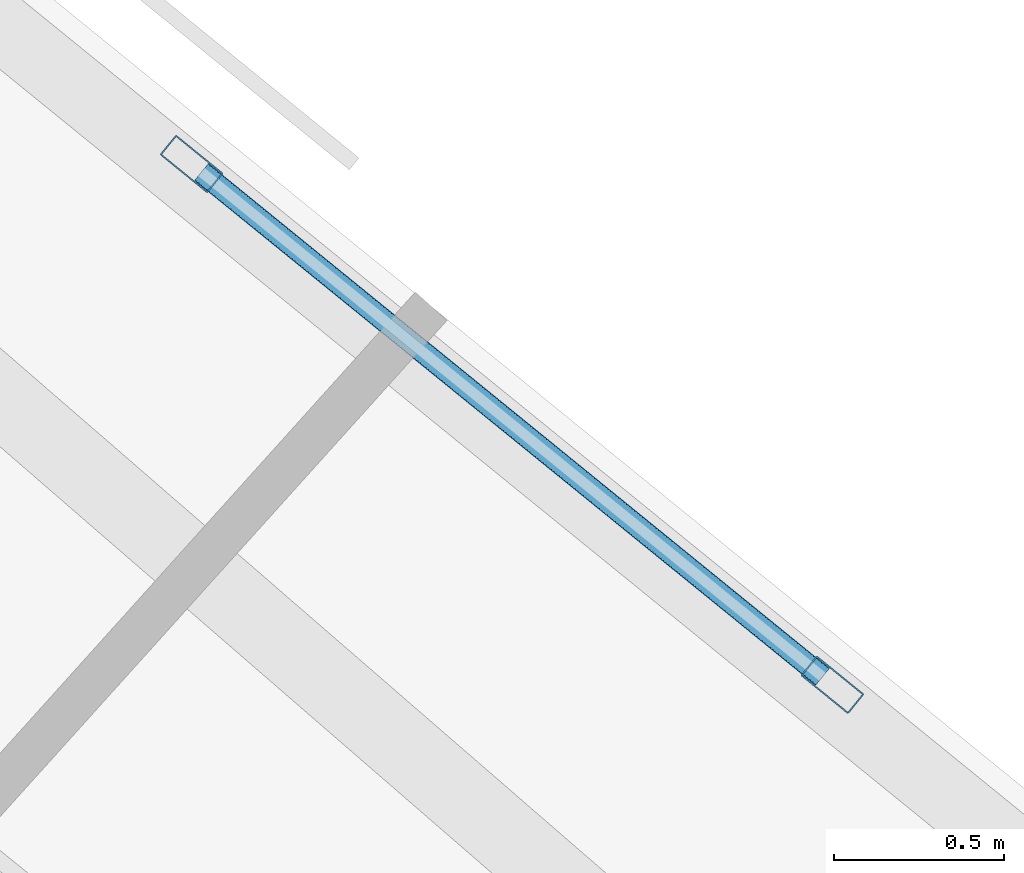
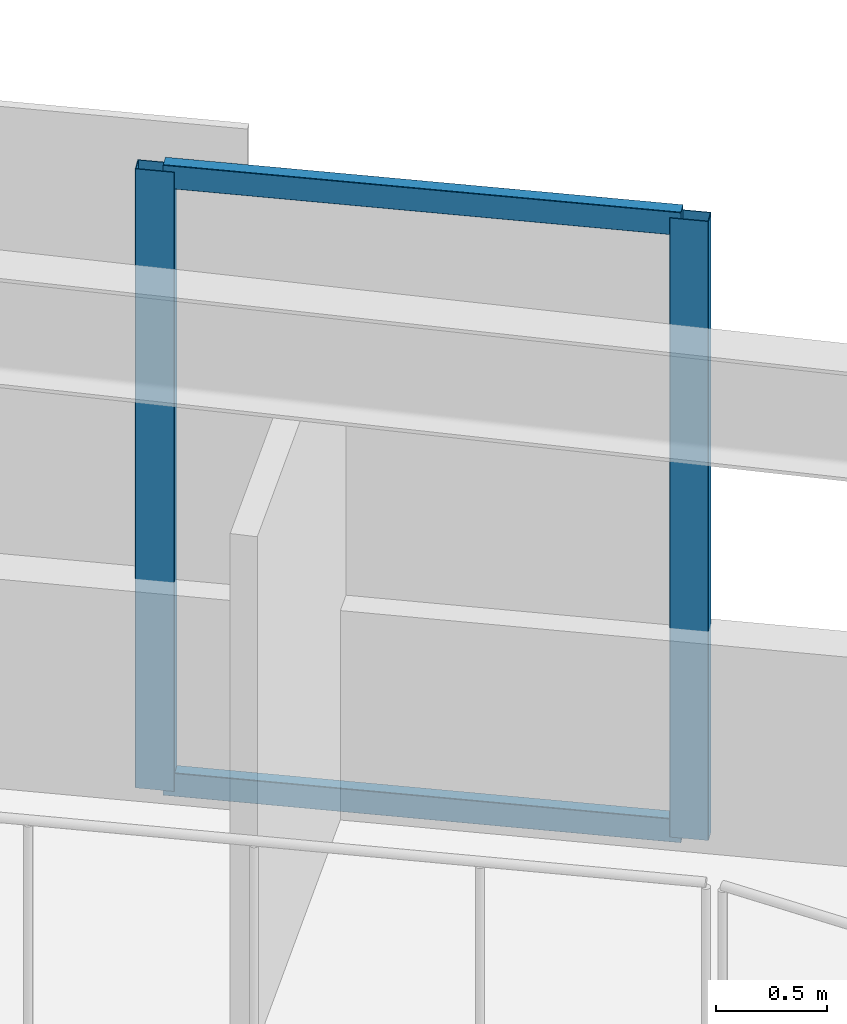
# One storey, part 2 of 17: 4 members, 1 element without a shape of its own.
"""IFC4 building model written with IfcOpenShell, lengths in metres."""

from ifc_helpers import new_model, si_unit, direction, frame, origin, origin_2d, place, context, subcontext, project, spatial, hollow_rectangle, extrude, material, material_profile, profile_set, type_object, element, aggregate, save


model = new_model("IFC4")

# Units and contexts
model_context = context("Model", 3, precision=1e-05, world=origin(), true_north=direction((0.0, 1.0)))
body_context = subcontext(model_context, "Body", "Model", "MODEL_VIEW")
ifc_project = project(units=[si_unit("LENGTHUNIT", "METRE"), si_unit("AREAUNIT", "SQUARE_METRE"), si_unit("VOLUMEUNIT", "CUBIC_METRE"), si_unit("PLANEANGLEUNIT", "RADIAN"), si_unit("MASSUNIT", "GRAM", prefix="KILO")], contexts=[model_context])

# Site, building, storey
site_placement = place(None, origin())
site = spatial("IfcSite", under=ifc_project, at=site_placement, CompositionType="ELEMENT")
building_placement = place(site_placement, origin())
building = spatial("IfcBuilding", under=site, at=building_placement, Name="Narakoshi Arena Tower", CompositionType="ELEMENT")
storey_placement = place(building_placement, frame((0.0, 0.0, 51.89990234375)))
storey = spatial("IfcBuildingStorey", under=building, at=storey_placement, Name="L13", CompositionType="ELEMENT", Elevation=51.89990234375)

# Curtain wall, members
ifc_material = material(Name="Anodised bronze aluminium 6063-T6", Category="aluminium")
curtain_wall_type = type_object("IfcCurtainWallType", Name="CW-HYP-LOW", PredefinedType="NOTDEFINED", material=ifc_material)
curtain_wall_placement = place(storey_placement, origin())
curtain_wall = element("IfcCurtainWall", 1, at=curtain_wall_placement, inside=storey, type_object=curtain_wall_type, Name="L13 Folded Hypotenuse Curtain Wall 2-1", PredefinedType="NOTDEFINED")
ifc_material_profile_1 = material_profile(ifc_material, hollow_rectangle(XDim=0.074951171875, YDim=0.179931640625, WallThickness=0.00390625, OuterFilletRadius=0.0048828125, at=origin_2d()), Name="MUL180x75x4")
ifc_profile_set_1 = profile_set([ifc_material_profile_1], Name="Anodised bronze aluminium 6063-T6")
member_type_1 = type_object("IfcMemberType", Name="MEM-MUL-180", PredefinedType="MULLION", material=ifc_profile_set_1)
member_1_placement = place(storey_placement, frame((93.34521484375, 59.196533203125, 0.0), z_axis=(0.0, 0.0, 1.0), x_axis=(-0.63072316495, -0.776007918256, 0.0)))
member_1 = element("IfcMember", 2, at=member_1_placement, type_object=member_type_1, Name="CW-01 mullion 1", PredefinedType="MULLION", context=body_context, shape_type="SweptSolid", body=[
    extrude(hollow_rectangle(XDim=0.074951171875, YDim=0.179931640625, WallThickness=0.00390625, OuterFilletRadius=0.0048828125, at=origin_2d()), origin(), (0.0, 0.0, 1.0), 3.400146484375),
])
member_2_placement = place(storey_placement, frame((91.45654296875, 60.731689453125, 0.0), z_axis=(0.0, 0.0, 1.0), x_axis=(-0.63072316495, -0.776007918256, 0.0)))
member_2 = element("IfcMember", 3, at=member_2_placement, type_object=member_type_1, Name="CW-01 mullion 2", PredefinedType="MULLION", context=body_context, shape_type="SweptSolid", body=[
    extrude(hollow_rectangle(XDim=0.074951171875, YDim=0.179931640625, WallThickness=0.00390625, OuterFilletRadius=0.0048828125, at=origin_2d()), origin(), (0.0, 0.0, 1.0), 3.400146484375),
])
ifc_material_profile_2 = material_profile(ifc_material, hollow_rectangle(XDim=0.06494140625, YDim=0.1298828125, WallThickness=0.00390625, OuterFilletRadius=0.0048828125, at=origin_2d()), Name="TRN130x65x4")
ifc_profile_set_2 = profile_set([ifc_material_profile_2], Name="Anodised bronze aluminium 6063-T6")
member_type_2 = type_object("IfcMemberType", Name="MEM-TRN-130", PredefinedType="USERDEFINED", material=ifc_profile_set_2)
member_3_placement = place(storey_placement, frame((93.316162109375, 59.22021484375, 0.03271484375), z_axis=(-0.776019017778, 0.630709508448, 0.0), x_axis=(-0.630709508448, -0.776019017778, 0.0)))
member_3 = element("IfcMember", 4, at=member_3_placement, type_object=member_type_2, Name="CW-01 transom 1.1", ObjectType="TRANSOM", PredefinedType="USERDEFINED", context=body_context, shape_type="SweptSolid", body=[
    extrude(hollow_rectangle(XDim=0.06494140625, YDim=0.1298828125, WallThickness=0.00390625, OuterFilletRadius=0.0048828125, at=origin_2d()), origin(), (0.0, 0.0, 1.0), 2.35888671875),
])
member_4_placement = place(storey_placement, frame((93.316162109375, 59.22021484375, 3.36767578125), z_axis=(-0.776019017778, 0.630709508448, 0.0), x_axis=(-0.630709508448, -0.776019017778, 0.0)))
member_4 = element("IfcMember", 5, at=member_4_placement, type_object=member_type_2, Name="CW-01 transom 1.2", ObjectType="TRANSOM", PredefinedType="USERDEFINED", context=body_context, shape_type="SweptSolid", body=[
    extrude(hollow_rectangle(XDim=0.06494140625, YDim=0.1298828125, WallThickness=0.00390625, OuterFilletRadius=0.0048828125, at=origin_2d()), origin(), (0.0, 0.0, 1.0), 2.35888671875),
])
aggregate(curtain_wall, [member_1, member_2, member_3, member_4])

save(model, "model.ifc")
